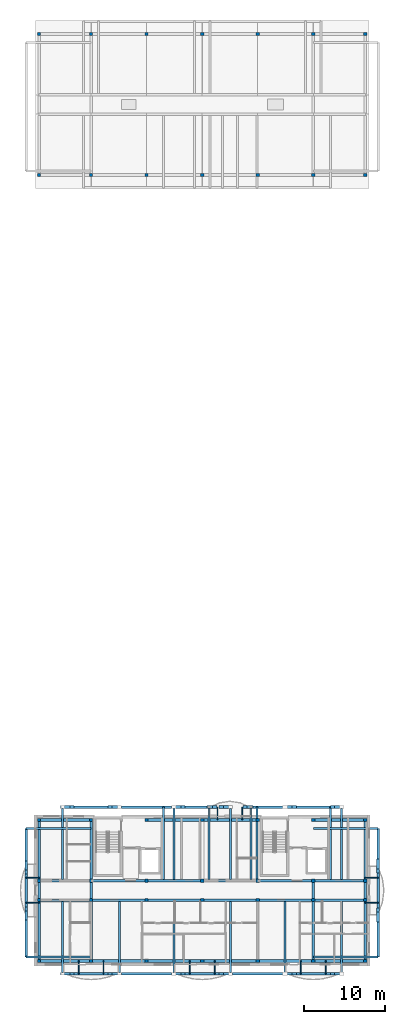
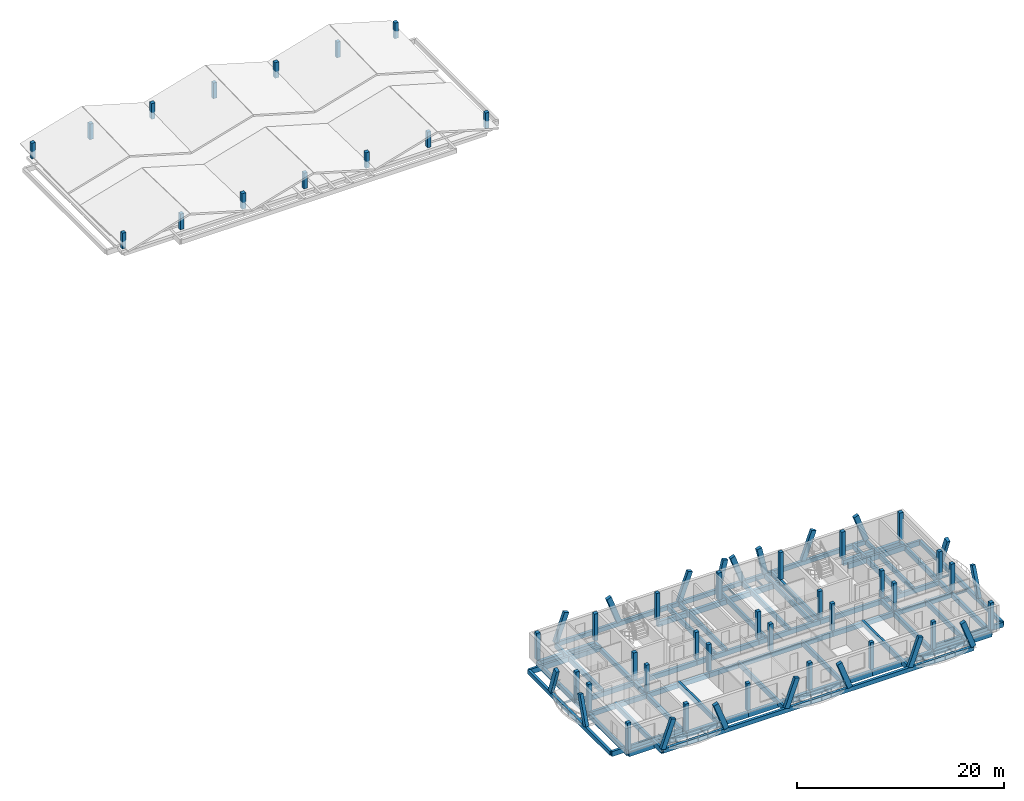
# One storey, part 1 of 10: 68 beams, 42 columns, 18 members.
"""IFC4 building model written with IfcOpenShell, lengths in metres."""

import ifcopenshell
import ifcopenshell.guid

model = None  # the IFC model being written
_history = None  # IfcOwnerHistory: only IFC2X3 demands one
_inside = {}  # id of a spatial element -> (the spatial element, [elements in it])
_under = {}  # id of a project, library or spatial element -> (it, [spatial elements below it])
_declared = {}  # id of a project -> (the project, [libraries it declares])
_typed = {}  # id of a type object -> (the type object, [elements of that type])
_made_of = {}  # id of a material, layer set ... -> (it, [elements and type objects made of it])


def new_model(schema):
    """Start an empty IFC model of exactly this schema.

    Asked for "IFC4X3", IfcOpenShell would pick the latest addendum, in which some entities
    have other attributes; the version numbers below select the first issue.
    IFC2X3 requires an IfcOwnerHistory on every rooted entity: one is made here for all.
    """
    global model, _history
    if schema == "IFC4X3":
        model = ifcopenshell.file(schema_version=(4, 3, 0, 0))
    else:
        model = ifcopenshell.file(schema=schema)
    _inside.clear()
    _under.clear()
    _declared.clear()
    _typed.clear()
    _made_of.clear()
    _history = None
    if model.schema == "IFC2X3":
        org = make("IfcOrganization", Name="unknown")
        user = make(
            "IfcPersonAndOrganization",
            ThePerson=make("IfcPerson", FamilyName="unknown"),
            TheOrganization=org,
        )
        app = make(
            "IfcApplication",
            ApplicationDeveloper=org,
            Version="unknown",
            ApplicationFullName="unknown",
            ApplicationIdentifier="unknown",
        )
        _history = make(
            "IfcOwnerHistory",
            OwningUser=user,
            OwningApplication=app,
            ChangeAction="ADDED",
            CreationDate=0,
        )
    return model


def make(cls, **values):
    """One entity of the class cls with the attributes given. An attribute that is None is left unset."""
    return model.create_entity(
        cls, **{name: value for name, value in values.items() if value is not None}
    )


def rooted(cls, **values):
    """An entity with a GlobalId (a new one), such as an element, a storey or a relation."""
    return make(cls, GlobalId=ifcopenshell.guid.new(), OwnerHistory=_history, **values)


def si_unit(unit_type, name, prefix=None):
    """IfcSIUnit, for example si_unit("LENGTHUNIT", "METRE", prefix="MILLI")."""
    return make("IfcSIUnit", UnitType=unit_type, Prefix=prefix, Name=name)


def assignment(units):
    """IfcUnitAssignment: the units of a project."""
    return None if units is None else make("IfcUnitAssignment", Units=units)


def point(xyz):
    """IfcCartesianPoint."""
    return None if xyz is None else make("IfcCartesianPoint", Coordinates=xyz)


def direction(xyz):
    """IfcDirection."""
    return None if xyz is None else make("IfcDirection", DirectionRatios=xyz)


def frame(location, z_axis=None, x_axis=None):
    """IfcAxis2Placement3D, a coordinate frame: its origin and axes. An axis left out is left unset."""
    return make(
        "IfcAxis2Placement3D",
        Location=point(location),
        Axis=direction(z_axis),
        RefDirection=direction(x_axis),
    )


def frame_2d(location, x_axis=None):
    """IfcAxis2Placement2D, a coordinate frame in the plane: its origin and x axis."""
    return make(
        "IfcAxis2Placement2D", Location=point(location), RefDirection=direction(x_axis)
    )


def origin():
    """The frame at (0, 0, 0) with its axes left unset."""
    return frame((0.0, 0.0, 0.0))


def origin_2d():
    """The frame at (0, 0) in the plane with its x axis left unset."""
    return frame_2d((0.0, 0.0))


def place(relative_to, where):
    """IfcLocalPlacement: puts the frame where relative to a parent placement (None: the world)."""
    return make(
        "IfcLocalPlacement", PlacementRelTo=relative_to, RelativePlacement=where
    )


def context(
    kind, dimensions, precision=None, world=None, true_north=None, identifier=None
):
    """IfcGeometricRepresentationContext, for example the 3D "Model" context."""
    return make(
        "IfcGeometricRepresentationContext",
        ContextIdentifier=identifier,
        ContextType=kind,
        CoordinateSpaceDimension=dimensions,
        Precision=precision,
        WorldCoordinateSystem=world,
        TrueNorth=true_north,
    )


def subcontext(parent, identifier, kind, view, scale=None):
    """IfcGeometricRepresentationSubContext, for example "Body" below "Model"."""
    return make(
        "IfcGeometricRepresentationSubContext",
        ContextIdentifier=identifier,
        ContextType=kind,
        ParentContext=parent,
        TargetScale=scale,
        TargetView=view,
    )


def project(units=None, contexts=None):
    """IfcProject with its units and contexts."""
    return rooted(
        "IfcProject",
        Name="project",
        RepresentationContexts=contexts,
        UnitsInContext=assignment(units),
    )


def spatial(cls, under=None, at=None, **own):
    """A site, building, storey or space (cls), placed at a placement, below another one or the project."""
    s = rooted(cls, ObjectPlacement=at, **own)
    if under is not None:
        _under.setdefault(under.id(), (under, []))[1].append(s)
    return s


def profile(cls, at=None, kind="AREA", **sizes):
    """A parametric profile (cls). Its sizes go by their IFC names, for example OverallWidth=200.0."""
    return make(cls, ProfileType=kind, Position=at, **sizes)


def rectangle(**sizes):
    """IfcRectangleProfileDef."""
    return profile("IfcRectangleProfileDef", **sizes)


def i_section(**sizes):
    """IfcIShapeProfileDef."""
    return profile("IfcIShapeProfileDef", **sizes)


def extrude(swept, where, along, depth):
    """IfcExtrudedAreaSolid: the profile swept, set in the frame where, extruded along a direction by depth."""
    return make(
        "IfcExtrudedAreaSolid",
        SweptArea=swept,
        Position=where,
        ExtrudedDirection=direction(along),
        Depth=depth,
    )


def shape(context_of_items, identifier, shape_type, items):
    """IfcShapeRepresentation: the items that make up one representation, for example the "Body"."""
    return make(
        "IfcShapeRepresentation",
        ContextOfItems=context_of_items,
        RepresentationIdentifier=identifier,
        RepresentationType=shape_type,
        Items=items,
    )


def material(Name=None, Category=None):
    """IfcMaterial."""
    return make("IfcMaterial", Name=Name, Category=Category)


def material_profile(
    of_material, cross_section, Name=None, Category=None, Priority=None
):
    """IfcMaterialProfile: a cross section and its material."""
    return make(
        "IfcMaterialProfile",
        Name=Name,
        Material=of_material,
        Profile=cross_section,
        Priority=Priority,
        Category=Category,
    )


def profile_set(profiles, Name=None, composite=None):
    """IfcMaterialProfileSet."""
    return make(
        "IfcMaterialProfileSet",
        Name=Name,
        MaterialProfiles=profiles,
        CompositeProfile=composite,
    )


def made_of(thing, what):
    """Note that an element or type object is made of a material, layer set ...; save() writes the relation."""
    if what is not None:
        _made_of.setdefault(what.id(), (what, []))[1].append(thing)
    return thing


def type_object(cls, material=None, **own):
    """A type object (cls), such as IfcWallType, which elements share."""
    return made_of(rooted(cls, **own), material)


def element(
    cls,
    number,
    at=None,
    inside=None,
    cuts=None,
    type_object=None,
    material=None,
    context=None,
    identifier="Body",
    shape_type=None,
    held_by="IfcProductDefinitionShape",
    body=None,
    shapes=None,
    **own,
):
    """One element of the class cls, such as IfcWall. Its Tag is "e" and its number.

    at: its placement. inside: the storey or other place that contains it. cuts: it is an
    opening in that element (IfcRelVoidsElement). A single representation is given by context,
    identifier, shape_type and body (its items); several are given by shapes. held_by: the class
    of the entity that holds the representations. save() writes the other relations.
    """
    e = rooted(cls, Tag="e%d" % number, ObjectPlacement=at, **own)
    if body is not None:
        shapes = [shape(context, identifier, shape_type, body)]
    if shapes is not None:
        e.Representation = make(held_by, Representations=shapes)
    if inside is not None:
        _inside.setdefault(inside.id(), (inside, []))[1].append(e)
    if cuts is not None:
        rooted(
            "IfcRelVoidsElement", RelatingBuildingElement=cuts, RelatedOpeningElement=e
        )
    if type_object is not None:
        _typed.setdefault(type_object.id(), (type_object, []))[1].append(e)
    return made_of(e, material)


def aggregate(whole, parts):
    """IfcRelAggregates: a whole, such as a stair, and the parts it consists of."""
    return rooted("IfcRelAggregates", RelatingObject=whole, RelatedObjects=parts)


def save(model, path):
    """Write the relations noted so far, then the file.

    IfcRelAggregates (storeys below a building ...), IfcRelContainedInSpatialStructure (elements
    in a storey), IfcRelDefinesByType, IfcRelAssociatesMaterial and IfcRelDeclares: one each for
    every whole, place, type object, material and project.
    """
    for whole, parts in _under.values():
        aggregate(whole, parts)
    for where, things in _inside.values():
        rooted(
            "IfcRelContainedInSpatialStructure",
            RelatedElements=things,
            RelatingStructure=where,
        )
    for kind, things in _typed.values():
        rooted("IfcRelDefinesByType", RelatedObjects=things, RelatingType=kind)
    for what, things in _made_of.values():
        rooted("IfcRelAssociatesMaterial", RelatedObjects=things, RelatingMaterial=what)
    for by, libraries in _declared.values():
        rooted("IfcRelDeclares", RelatingContext=by, RelatedDefinitions=libraries)
    model.write(path)


model = new_model("IFC4")

# Units and contexts
model_context = context("Model", 3, precision=1e-05, world=origin(), true_north=direction((0.0, 1.0)))
body_context = subcontext(model_context, "Body", "Model", "MODEL_VIEW")
ifc_project = project(units=[si_unit("LENGTHUNIT", "METRE"), si_unit("AREAUNIT", "SQUARE_METRE"), si_unit("VOLUMEUNIT", "CUBIC_METRE"), si_unit("PLANEANGLEUNIT", "RADIAN"), si_unit("MASSUNIT", "GRAM", prefix="KILO")], contexts=[model_context])

# Site, building, storey
site_placement = place(None, origin())
site = spatial("IfcSite", under=ifc_project, at=site_placement, CompositionType="ELEMENT")
building_placement = place(site_placement, origin())
building = spatial("IfcBuilding", under=site, at=building_placement, Name="Zavelmont Quarter", CompositionType="ELEMENT")
storey_placement = place(building_placement, frame((0.0, 0.0, 43.199951171875)))
storey = spatial("IfcBuildingStorey", under=building, at=storey_placement, Name="L13", CompositionType="ELEMENT", Elevation=43.199951171875)

# Columns
ifc_material_1 = material(Name="Concrete C35/45", Category="concrete")
ifc_material_profile_1 = material_profile(ifc_material_1, rectangle(XDim=0.39990234375, YDim=0.39990234375, at=origin_2d()), Name="RC400X400")
ifc_profile_set_1 = profile_set([ifc_material_profile_1], Name="Concrete C35/45")
column_type = type_object("IfcColumnType", Name="CL05", PredefinedType="COLUMN", material=ifc_profile_set_1)
for number, where, z_axis, x_axis, name in (
    (1, (0.43994140625, 0.43994140625, 0.0), (0.0, 0.0, 1.0), (1.0, 0.0, 0.0), "L13 column CL05 at 1/A"),
    (2, (0.43994140625, 8.0, 0.0), (0.0, 0.0, 1.0), (1.0, 0.0, 0.0), "L13 column CL05 at 1/B"),
    (3, (0.43994140625, 10.39990234375, 0.0), (0.0, 0.0, 1.0), (1.0, 0.0, 0.0), "L13 column CL05 at 1/C"),
    (4, (0.43994140625, 17.9599609375, 0.0), (0.0, 0.0, 1.0), (1.0, 0.0, 0.0), "L13 column CL05 at 1/D"),
    (5, (6.89990234375, 0.43994140625, 0.0), (0.0, 0.0, 1.0), (1.0, 0.0, 0.0), "L13 column CL05 at 2/A"),
    (6, (6.89990234375, 8.0, 0.0), (0.0, 0.0, 1.0), (1.0, 0.0, 0.0), "L13 column CL05 at 2/B"),
    (7, (6.89990234375, 10.39990234375, 0.0), (0.0, 0.0, 1.0), (1.0, 0.0, 0.0), "L13 column CL05 at 2/C"),
    (8, (6.89990234375, 17.9599609375, 0.0), (0.0, 0.0, 1.0), (1.0, 0.0, 0.0), "L13 column CL05 at 2/D"),
    (9, (13.800048828125, 0.43994140625, 0.0), (0.0, 0.0, 1.0), (1.0, 0.0, 0.0), "L13 column CL05 at 3/A"),
    (10, (13.800048828125, 8.0, 0.0), (0.0, 0.0, 1.0), (1.0, 0.0, 0.0), "L13 column CL05 at 3/B"),
    (11, (13.800048828125, 10.39990234375, 0.0), (0.0, 0.0, 1.0), (1.0, 0.0, 0.0), "L13 column CL05 at 3/C"),
    (12, (13.800048828125, 17.9599609375, 0.0), (0.0, 0.0, 1.0), (1.0, 0.0, 0.0), "L13 column CL05 at 3/D"),
    (13, (20.699951171875, 0.43994140625, 0.0), (0.0, 0.0, 1.0), (1.0, 0.0, 0.0), "L13 column CL05 at 4/A"),
    (14, (20.699951171875, 8.0, 0.0), (0.0, 0.0, 1.0), (1.0, 0.0, 0.0), "L13 column CL05 at 4/B"),
    (15, (20.699951171875, 10.39990234375, 0.0), (0.0, 0.0, 1.0), (1.0, 0.0, 0.0), "L13 column CL05 at 4/C"),
    (16, (20.699951171875, 17.9599609375, 0.0), (0.0, 0.0, 1.0), (1.0, 0.0, 0.0), "L13 column CL05 at 4/D"),
    (17, (27.60009765625, 0.43994140625, 0.0), (0.0, 0.0, 1.0), (1.0, 0.0, 0.0), "L13 column CL05 at 5/A"),
    (18, (27.60009765625, 8.0, 0.0), (0.0, 0.0, 1.0), (1.0, 0.0, 0.0), "L13 column CL05 at 5/B"),
    (19, (27.60009765625, 10.39990234375, 0.0), (0.0, 0.0, 1.0), (1.0, 0.0, 0.0), "L13 column CL05 at 5/C"),
    (20, (27.60009765625, 17.9599609375, 0.0), (0.0, 0.0, 1.0), (1.0, 0.0, 0.0), "L13 column CL05 at 5/D"),
    (21, (34.5, 0.43994140625, 0.0), (0.0, 0.0, 1.0), (1.0, 0.0, 0.0), "L13 column CL05 at 6/A"),
    (22, (34.5, 8.0, 0.0), (0.0, 0.0, 1.0), (1.0, 0.0, 0.0), "L13 column CL05 at 6/B"),
    (23, (34.5, 10.39990234375, 0.0), (0.0, 0.0, 1.0), (1.0, 0.0, 0.0), "L13 column CL05 at 6/C"),
    (24, (34.5, 17.9599609375, 0.0), (0.0, 0.0, 1.0), (1.0, 0.0, 0.0), "L13 column CL05 at 6/D"),
    (25, (40.9599609375, 0.43994140625, 0.0), (0.0, 0.0, 1.0), (1.0, 0.0, 0.0), "L13 column CL05 at 7/A"),
    (26, (40.9599609375, 8.0, 0.0), (0.0, 0.0, 1.0), (1.0, 0.0, 0.0), "L13 column CL05 at 7/B"),
    (27, (40.9599609375, 10.39990234375, 0.0), (0.0, 0.0, 1.0), (1.0, 0.0, 0.0), "L13 column CL05 at 7/C"),
    (28, (40.9599609375, 17.9599609375, 0.0), (0.0, 0.0, 1.0), (1.0, 0.0, 0.0), "L13 column CL05 at 7/D"),
):
    element("IfcColumn", number, at=place(storey_placement, frame(where, z_axis=z_axis, x_axis=x_axis)), inside=storey, type_object=column_type, Name=name, PredefinedType="COLUMN", context=body_context, shape_type="SweptSolid", body=[
        extrude(rectangle(XDim=0.39990234375, YDim=0.39990234375, at=origin_2d()), origin(), (0.0, 0.0, 1.0), 3.199951171875),
    ])
for number, where, z_axis, x_axis, name in (
    (29, (0.43994140625, 98.0400390625, 0.0), (0.0, 0.0, 1.0), (1.0, 0.0, 0.0), "L13 column CL05 at 1/P"),
    (30, (0.43994140625, 115.56005859375, 0.0), (0.0, 0.0, 1.0), (1.0, 0.0, 0.0), "L13 column CL05 at 1/S"),
    (31, (6.89990234375, 98.0400390625, 0.0), (0.0, 0.0, 1.0), (1.0, 0.0, 0.0), "L13 column CL05 at 2/P"),
    (32, (6.89990234375, 115.56005859375, 0.0), (0.0, 0.0, 1.0), (1.0, 0.0, 0.0), "L13 column CL05 at 2/S"),
    (33, (13.800048828125, 98.0400390625, 0.0), (0.0, 0.0, 1.0), (1.0, 0.0, 0.0), "L13 column CL05 at 3/P"),
    (34, (13.800048828125, 115.56005859375, 0.0), (0.0, 0.0, 1.0), (1.0, 0.0, 0.0), "L13 column CL05 at 3/S"),
    (35, (20.699951171875, 98.0400390625, 0.0), (0.0, 0.0, 1.0), (1.0, 0.0, 0.0), "L13 column CL05 at 4/P"),
    (36, (20.699951171875, 115.56005859375, 0.0), (0.0, 0.0, 1.0), (1.0, 0.0, 0.0), "L13 column CL05 at 4/S"),
    (37, (27.60009765625, 98.0400390625, 0.0), (0.0, 0.0, 1.0), (1.0, 0.0, 0.0), "L13 column CL05 at 5/P"),
    (38, (27.60009765625, 115.56005859375, 0.0), (0.0, 0.0, 1.0), (1.0, 0.0, 0.0), "L13 column CL05 at 5/S"),
    (39, (34.5, 98.0400390625, 0.0), (0.0, 0.0, 1.0), (1.0, 0.0, 0.0), "L13 column CL05 at 6/P"),
    (40, (34.5, 115.56005859375, 0.0), (0.0, 0.0, 1.0), (1.0, 0.0, 0.0), "L13 column CL05 at 6/S"),
    (41, (40.9599609375, 98.0400390625, 0.0), (0.0, 0.0, 1.0), (1.0, 0.0, 0.0), "L13 column CL05 at 7/P"),
    (42, (40.9599609375, 115.56005859375, 0.0), (0.0, 0.0, 1.0), (1.0, 0.0, 0.0), "L13 column CL05 at 7/S"),
):
    element("IfcColumn", number, at=place(storey_placement, frame(where, z_axis=z_axis, x_axis=x_axis)), inside=storey, type_object=column_type, Name=name, PredefinedType="COLUMN", context=body_context, shape_type="SweptSolid", body=[
        extrude(rectangle(XDim=0.39990234375, YDim=0.39990234375, at=origin_2d()), origin(), (0.0, 0.0, 1.0), 1.85009765625),
    ])

# Beams
ifc_material_profile_2 = material_profile(ifc_material_1, rectangle(XDim=0.35009765625, YDim=0.60009765625, at=origin_2d()), Name="RC350X600")
ifc_profile_set_2 = profile_set([ifc_material_profile_2], Name="Concrete C35/45")
beam_type_1 = type_object("IfcBeamType", Name="BM01", PredefinedType="SPANDREL", material=ifc_profile_set_2)
beam_1_placement = place(storey_placement, frame((0.43994140625, 0.43994140625, -0.530029296875), z_axis=(1.0, 0.0, 0.0), x_axis=(0.0, 1.0, 0.0)))
element("IfcBeam", 43, at=beam_1_placement, inside=storey, type_object=beam_type_1, Name="L13 beam BM01 1/A to 2/A", PredefinedType="SPANDREL", context=body_context, shape_type="SweptSolid", body=[
    extrude(rectangle(XDim=0.35009765625, YDim=0.60009765625, at=origin_2d()), origin(), (0.0, 0.0, 1.0), 6.4599609375),
])
beam_2_placement = place(storey_placement, frame((6.89990234375, 0.43994140625, -0.530029296875), z_axis=(1.0, 0.0, 0.0), x_axis=(0.0, 1.0, 0.0)))
element("IfcBeam", 44, at=beam_2_placement, inside=storey, type_object=beam_type_1, Name="L13 beam BM01 2/A to 3/A", PredefinedType="SPANDREL", context=body_context, shape_type="SweptSolid", body=[
    extrude(rectangle(XDim=0.35009765625, YDim=0.60009765625, at=origin_2d()), origin(), (0.0, 0.0, 1.0), 6.900146484375),
])
beam_3_placement = place(storey_placement, frame((13.800048828125, 0.43994140625, -0.530029296875), z_axis=(1.0, 0.0, 0.0), x_axis=(0.0, 1.0, 0.0)))
element("IfcBeam", 45, at=beam_3_placement, inside=storey, type_object=beam_type_1, Name="L13 beam BM01 3/A to 4/A", PredefinedType="SPANDREL", context=body_context, shape_type="SweptSolid", body=[
    extrude(rectangle(XDim=0.35009765625, YDim=0.60009765625, at=origin_2d()), origin(), (0.0, 0.0, 1.0), 6.89990234375),
])
beam_4_placement = place(storey_placement, frame((20.699951171875, 0.43994140625, -0.530029296875), z_axis=(1.0, 0.0, 0.0), x_axis=(0.0, 1.0, 0.0)))
element("IfcBeam", 46, at=beam_4_placement, inside=storey, type_object=beam_type_1, Name="L13 beam BM01 4/A to 5/A", PredefinedType="SPANDREL", context=body_context, shape_type="SweptSolid", body=[
    extrude(rectangle(XDim=0.35009765625, YDim=0.60009765625, at=origin_2d()), origin(), (0.0, 0.0, 1.0), 6.900146484375),
])
beam_5_placement = place(storey_placement, frame((27.60009765625, 0.43994140625, -0.530029296875), z_axis=(1.0, 0.0, 0.0), x_axis=(0.0, 1.0, 0.0)))
element("IfcBeam", 47, at=beam_5_placement, inside=storey, type_object=beam_type_1, Name="L13 beam BM01 5/A to 6/A", PredefinedType="SPANDREL", context=body_context, shape_type="SweptSolid", body=[
    extrude(rectangle(XDim=0.35009765625, YDim=0.60009765625, at=origin_2d()), origin(), (0.0, 0.0, 1.0), 6.89990234375),
])
for number, where, z_axis, x_axis, name in (
    (48, (34.5, 0.43994140625, -0.530029296875), (1.0, 0.0, 0.0), (0.0, 1.0, 0.0), "L13 beam BM01 6/A to 7/A"),
    (49, (0.43994140625, 17.9599609375, -0.530029296875), (1.0, 0.0, 0.0), (0.0, 1.0, 0.0), "L13 beam BM01 1/D to 2/D"),
):
    element("IfcBeam", number, at=place(storey_placement, frame(where, z_axis=z_axis, x_axis=x_axis)), inside=storey, type_object=beam_type_1, Name=name, PredefinedType="SPANDREL", context=body_context, shape_type="SweptSolid", body=[
        extrude(rectangle(XDim=0.35009765625, YDim=0.60009765625, at=origin_2d()), origin(), (0.0, 0.0, 1.0), 6.4599609375),
    ])
beam_6_placement = place(storey_placement, frame((13.800048828125, 17.9599609375, -0.530029296875), z_axis=(1.0, 0.0, 0.0), x_axis=(0.0, 1.0, 0.0)))
element("IfcBeam", 50, at=beam_6_placement, inside=storey, type_object=beam_type_1, Name="L13 beam BM01 3/D to 4/D", PredefinedType="SPANDREL", context=body_context, shape_type="SweptSolid", body=[
    extrude(rectangle(XDim=0.35009765625, YDim=0.60009765625, at=origin_2d()), origin(), (0.0, 0.0, 1.0), 6.89990234375),
])
beam_7_placement = place(storey_placement, frame((20.699951171875, 17.9599609375, -0.530029296875), z_axis=(1.0, 0.0, 0.0), x_axis=(0.0, 1.0, 0.0)))
element("IfcBeam", 51, at=beam_7_placement, inside=storey, type_object=beam_type_1, Name="L13 beam BM01 4/D to 5/D", PredefinedType="SPANDREL", context=body_context, shape_type="SweptSolid", body=[
    extrude(rectangle(XDim=0.35009765625, YDim=0.60009765625, at=origin_2d()), origin(), (0.0, 0.0, 1.0), 6.900146484375),
])
beam_8_placement = place(storey_placement, frame((34.5, 17.9599609375, -0.530029296875), z_axis=(1.0, 0.0, 0.0), x_axis=(0.0, 1.0, 0.0)))
element("IfcBeam", 52, at=beam_8_placement, inside=storey, type_object=beam_type_1, Name="L13 beam BM01 6/D to 7/D", PredefinedType="SPANDREL", context=body_context, shape_type="SweptSolid", body=[
    extrude(rectangle(XDim=0.35009765625, YDim=0.60009765625, at=origin_2d()), origin(), (0.0, 0.0, 1.0), 6.4599609375),
])
ifc_material_profile_3 = material_profile(ifc_material_1, rectangle(XDim=0.300048828125, YDim=0.550048828125, at=origin_2d()), Name="RC300X550")
ifc_profile_set_3 = profile_set([ifc_material_profile_3], Name="Concrete C35/45")
beam_type_2 = type_object("IfcBeamType", Name="BM02", PredefinedType="SPANDREL", material=ifc_profile_set_3)
beam_9_placement = place(storey_placement, frame((0.43994140625, 8.0, -0.5048828125), z_axis=(1.0, 0.0, 0.0), x_axis=(0.0, 1.0, 0.0)))
element("IfcBeam", 53, at=beam_9_placement, inside=storey, type_object=beam_type_2, Name="L13 beam BM02 1/B to 2/B", PredefinedType="SPANDREL", context=body_context, shape_type="SweptSolid", body=[
    extrude(rectangle(XDim=0.300048828125, YDim=0.550048828125, at=origin_2d()), origin(), (0.0, 0.0, 1.0), 6.4599609375),
])
beam_10_placement = place(storey_placement, frame((6.89990234375, 8.0, -0.5048828125), z_axis=(1.0, 0.0, 0.0), x_axis=(0.0, 1.0, 0.0)))
element("IfcBeam", 54, at=beam_10_placement, inside=storey, type_object=beam_type_2, Name="L13 beam BM02 2/B to 3/B", PredefinedType="SPANDREL", context=body_context, shape_type="SweptSolid", body=[
    extrude(rectangle(XDim=0.300048828125, YDim=0.550048828125, at=origin_2d()), origin(), (0.0, 0.0, 1.0), 6.900146484375),
])
beam_11_placement = place(storey_placement, frame((13.800048828125, 8.0, -0.5048828125), z_axis=(1.0, 0.0, 0.0), x_axis=(0.0, 1.0, 0.0)))
element("IfcBeam", 55, at=beam_11_placement, inside=storey, type_object=beam_type_2, Name="L13 beam BM02 3/B to 4/B", PredefinedType="SPANDREL", context=body_context, shape_type="SweptSolid", body=[
    extrude(rectangle(XDim=0.300048828125, YDim=0.550048828125, at=origin_2d()), origin(), (0.0, 0.0, 1.0), 6.89990234375),
])
beam_12_placement = place(storey_placement, frame((20.699951171875, 8.0, -0.5048828125), z_axis=(1.0, 0.0, 0.0), x_axis=(0.0, 1.0, 0.0)))
element("IfcBeam", 56, at=beam_12_placement, inside=storey, type_object=beam_type_2, Name="L13 beam BM02 4/B to 5/B", PredefinedType="SPANDREL", context=body_context, shape_type="SweptSolid", body=[
    extrude(rectangle(XDim=0.300048828125, YDim=0.550048828125, at=origin_2d()), origin(), (0.0, 0.0, 1.0), 6.900146484375),
])
beam_13_placement = place(storey_placement, frame((27.60009765625, 8.0, -0.5048828125), z_axis=(1.0, 0.0, 0.0), x_axis=(0.0, 1.0, 0.0)))
element("IfcBeam", 57, at=beam_13_placement, inside=storey, type_object=beam_type_2, Name="L13 beam BM02 5/B to 6/B", PredefinedType="SPANDREL", context=body_context, shape_type="SweptSolid", body=[
    extrude(rectangle(XDim=0.300048828125, YDim=0.550048828125, at=origin_2d()), origin(), (0.0, 0.0, 1.0), 6.89990234375),
])
for number, where, z_axis, x_axis, name in (
    (58, (34.5, 8.0, -0.5048828125), (1.0, 0.0, 0.0), (0.0, 1.0, 0.0), "L13 beam BM02 6/B to 7/B"),
    (59, (0.43994140625, 10.39990234375, -0.5048828125), (1.0, 0.0, 0.0), (0.0, 1.0, 0.0), "L13 beam BM02 1/C to 2/C"),
):
    element("IfcBeam", number, at=place(storey_placement, frame(where, z_axis=z_axis, x_axis=x_axis)), inside=storey, type_object=beam_type_2, Name=name, PredefinedType="SPANDREL", context=body_context, shape_type="SweptSolid", body=[
        extrude(rectangle(XDim=0.300048828125, YDim=0.550048828125, at=origin_2d()), origin(), (0.0, 0.0, 1.0), 6.4599609375),
    ])
beam_14_placement = place(storey_placement, frame((6.89990234375, 10.39990234375, -0.5048828125), z_axis=(1.0, 0.0, 0.0), x_axis=(0.0, 1.0, 0.0)))
element("IfcBeam", 60, at=beam_14_placement, inside=storey, type_object=beam_type_2, Name="L13 beam BM02 2/C to 3/C", PredefinedType="SPANDREL", context=body_context, shape_type="SweptSolid", body=[
    extrude(rectangle(XDim=0.300048828125, YDim=0.550048828125, at=origin_2d()), origin(), (0.0, 0.0, 1.0), 6.900146484375),
])
beam_15_placement = place(storey_placement, frame((13.800048828125, 10.39990234375, -0.5048828125), z_axis=(1.0, 0.0, 0.0), x_axis=(0.0, 1.0, 0.0)))
element("IfcBeam", 61, at=beam_15_placement, inside=storey, type_object=beam_type_2, Name="L13 beam BM02 3/C to 4/C", PredefinedType="SPANDREL", context=body_context, shape_type="SweptSolid", body=[
    extrude(rectangle(XDim=0.300048828125, YDim=0.550048828125, at=origin_2d()), origin(), (0.0, 0.0, 1.0), 6.89990234375),
])
beam_16_placement = place(storey_placement, frame((20.699951171875, 10.39990234375, -0.5048828125), z_axis=(1.0, 0.0, 0.0), x_axis=(0.0, 1.0, 0.0)))
element("IfcBeam", 62, at=beam_16_placement, inside=storey, type_object=beam_type_2, Name="L13 beam BM02 4/C to 5/C", PredefinedType="SPANDREL", context=body_context, shape_type="SweptSolid", body=[
    extrude(rectangle(XDim=0.300048828125, YDim=0.550048828125, at=origin_2d()), origin(), (0.0, 0.0, 1.0), 6.900146484375),
])
beam_17_placement = place(storey_placement, frame((27.60009765625, 10.39990234375, -0.5048828125), z_axis=(1.0, 0.0, 0.0), x_axis=(0.0, 1.0, 0.0)))
element("IfcBeam", 63, at=beam_17_placement, inside=storey, type_object=beam_type_2, Name="L13 beam BM02 5/C to 6/C", PredefinedType="SPANDREL", context=body_context, shape_type="SweptSolid", body=[
    extrude(rectangle(XDim=0.300048828125, YDim=0.550048828125, at=origin_2d()), origin(), (0.0, 0.0, 1.0), 6.89990234375),
])
beam_18_placement = place(storey_placement, frame((34.5, 10.39990234375, -0.5048828125), z_axis=(1.0, 0.0, 0.0), x_axis=(0.0, 1.0, 0.0)))
element("IfcBeam", 64, at=beam_18_placement, inside=storey, type_object=beam_type_2, Name="L13 beam BM02 6/C to 7/C", PredefinedType="SPANDREL", context=body_context, shape_type="SweptSolid", body=[
    extrude(rectangle(XDim=0.300048828125, YDim=0.550048828125, at=origin_2d()), origin(), (0.0, 0.0, 1.0), 6.4599609375),
])
beam_19_placement = place(storey_placement, frame((0.43994140625, 0.43994140625, -0.5048828125), z_axis=(0.0, 1.0, 0.0), x_axis=(-1.0, 0.0, 0.0)))
element("IfcBeam", 65, at=beam_19_placement, inside=storey, type_object=beam_type_2, Name="L13 beam BM02 1/A to 1/B", PredefinedType="SPANDREL", context=body_context, shape_type="SweptSolid", body=[
    extrude(rectangle(XDim=0.300048828125, YDim=0.550048828125, at=origin_2d()), origin(), (0.0, 0.0, 1.0), 7.56005859375),
])
beam_20_placement = place(storey_placement, frame((0.43994140625, 8.0, -0.5048828125), z_axis=(0.0, 1.0, 0.0), x_axis=(-1.0, 0.0, 0.0)))
element("IfcBeam", 66, at=beam_20_placement, inside=storey, type_object=beam_type_2, Name="L13 beam BM02 1/B to 1/C", PredefinedType="SPANDREL", context=body_context, shape_type="SweptSolid", body=[
    extrude(rectangle(XDim=0.300048828125, YDim=0.550048828125, at=origin_2d()), origin(), (0.0, 0.0, 1.0), 2.39990234375),
])
for number, where, z_axis, x_axis, name in (
    (67, (0.43994140625, 10.39990234375, -0.5048828125), (0.0, 1.0, 0.0), (-1.0, 0.0, 0.0), "L13 beam BM02 1/C to 1/D"),
    (68, (6.89990234375, 0.43994140625, -0.5048828125), (0.0, 1.0, 0.0), (-1.0, 0.0, 0.0), "L13 beam BM02 2/A to 2/B"),
):
    element("IfcBeam", number, at=place(storey_placement, frame(where, z_axis=z_axis, x_axis=x_axis)), inside=storey, type_object=beam_type_2, Name=name, PredefinedType="SPANDREL", context=body_context, shape_type="SweptSolid", body=[
        extrude(rectangle(XDim=0.300048828125, YDim=0.550048828125, at=origin_2d()), origin(), (0.0, 0.0, 1.0), 7.56005859375),
    ])
beam_21_placement = place(storey_placement, frame((6.89990234375, 8.0, -0.5048828125), z_axis=(0.0, 1.0, 0.0), x_axis=(-1.0, 0.0, 0.0)))
element("IfcBeam", 69, at=beam_21_placement, inside=storey, type_object=beam_type_2, Name="L13 beam BM02 2/B to 2/C", PredefinedType="SPANDREL", context=body_context, shape_type="SweptSolid", body=[
    extrude(rectangle(XDim=0.300048828125, YDim=0.550048828125, at=origin_2d()), origin(), (0.0, 0.0, 1.0), 2.39990234375),
])
for number, where, z_axis, x_axis, name in (
    (70, (6.89990234375, 10.39990234375, -0.5048828125), (0.0, 1.0, 0.0), (-1.0, 0.0, 0.0), "L13 beam BM02 2/C to 2/D"),
    (71, (34.5, 0.43994140625, -0.5048828125), (0.0, 1.0, 0.0), (-1.0, 0.0, 0.0), "L13 beam BM02 6/A to 6/B"),
):
    element("IfcBeam", number, at=place(storey_placement, frame(where, z_axis=z_axis, x_axis=x_axis)), inside=storey, type_object=beam_type_2, Name=name, PredefinedType="SPANDREL", context=body_context, shape_type="SweptSolid", body=[
        extrude(rectangle(XDim=0.300048828125, YDim=0.550048828125, at=origin_2d()), origin(), (0.0, 0.0, 1.0), 7.56005859375),
    ])
beam_22_placement = place(storey_placement, frame((34.5, 8.0, -0.5048828125), z_axis=(0.0, 1.0, 0.0), x_axis=(-1.0, 0.0, 0.0)))
element("IfcBeam", 72, at=beam_22_placement, inside=storey, type_object=beam_type_2, Name="L13 beam BM02 6/B to 6/C", PredefinedType="SPANDREL", context=body_context, shape_type="SweptSolid", body=[
    extrude(rectangle(XDim=0.300048828125, YDim=0.550048828125, at=origin_2d()), origin(), (0.0, 0.0, 1.0), 2.39990234375),
])
beam_23_placement = place(storey_placement, frame((40.9599609375, 0.43994140625, -0.5048828125), z_axis=(0.0, 1.0, 0.0), x_axis=(-1.0, 0.0, 0.0)))
element("IfcBeam", 73, at=beam_23_placement, inside=storey, type_object=beam_type_2, Name="L13 beam BM02 7/A to 7/B", PredefinedType="SPANDREL", context=body_context, shape_type="SweptSolid", body=[
    extrude(rectangle(XDim=0.300048828125, YDim=0.550048828125, at=origin_2d()), origin(), (0.0, 0.0, 1.0), 7.56005859375),
])
beam_24_placement = place(storey_placement, frame((40.9599609375, 8.0, -0.5048828125), z_axis=(0.0, 1.0, 0.0), x_axis=(-1.0, 0.0, 0.0)))
element("IfcBeam", 74, at=beam_24_placement, inside=storey, type_object=beam_type_2, Name="L13 beam BM02 7/B to 7/C", PredefinedType="SPANDREL", context=body_context, shape_type="SweptSolid", body=[
    extrude(rectangle(XDim=0.300048828125, YDim=0.550048828125, at=origin_2d()), origin(), (0.0, 0.0, 1.0), 2.39990234375),
])
beam_25_placement = place(storey_placement, frame((40.9599609375, 10.39990234375, -0.5048828125), z_axis=(0.0, 1.0, 0.0), x_axis=(-1.0, 0.0, 0.0)))
element("IfcBeam", 75, at=beam_25_placement, inside=storey, type_object=beam_type_2, Name="L13 beam BM02 7/C to 7/D", PredefinedType="SPANDREL", context=body_context, shape_type="SweptSolid", body=[
    extrude(rectangle(XDim=0.300048828125, YDim=0.550048828125, at=origin_2d()), origin(), (0.0, 0.0, 1.0), 7.56005859375),
])
ifc_material_profile_4 = material_profile(ifc_material_1, rectangle(XDim=0.300048828125, YDim=0.5, at=origin_2d()), Name="RC300X500")
ifc_profile_set_4 = profile_set([ifc_material_profile_4], Name="Concrete C35/45")
beam_type_3 = type_object("IfcBeamType", Name="BM03", PredefinedType="BEAM", material=ifc_profile_set_4)
for number, where, z_axis, x_axis, name in (
    (76, (3.37109375, -1.14990234375, -0.25), (1.0, 0.0, 0.0), (0.0, 1.0, 0.0), "L13 beam BM03 1/A to 7/A"),
    (77, (3.37109375, 19.550048828125, -0.25), (1.0, 0.0, 0.0), (0.0, 1.0, 0.0), "L13 beam BM03 1/D to 7/D"),
):
    element("IfcBeam", number, at=place(storey_placement, frame(where, z_axis=z_axis, x_axis=x_axis)), inside=storey, type_object=beam_type_3, Name=name, PredefinedType="BEAM", context=body_context, shape_type="SweptSolid", body=[
        extrude(rectangle(XDim=0.300048828125, YDim=0.5, at=origin_2d()), origin(), (0.0, 0.0, 1.0), 34.657958984375),
    ])
for number, where, z_axis, x_axis, name in (
    (78, (-1.14990234375, 0.949951171875, -0.25), (0.0, 1.0, 0.0), (-1.0, 0.0, 0.0), "L13 beam BM03 1/A to 1/D"),
    (79, (42.550048828125, 0.949951171875, -0.25), (0.0, 1.0, 0.0), (-1.0, 0.0, 0.0), "L13 beam BM03 7/A to 7/D"),
):
    element("IfcBeam", number, at=place(storey_placement, frame(where, z_axis=z_axis, x_axis=x_axis)), inside=storey, type_object=beam_type_3, Name=name, PredefinedType="BEAM", context=body_context, shape_type="SweptSolid", body=[
        extrude(rectangle(XDim=0.300048828125, YDim=0.5, at=origin_2d()), origin(), (0.0, 0.0, 1.0), 15.949951171875),
    ])
ifc_material_2 = material(Name="Steel S355", Category="steel")
ifc_material_profile_5 = material_profile(ifc_material_2, i_section(OverallWidth=0.110107421875, OverallDepth=0.219970703125, WebThickness=0.005859375, FlangeThickness=0.00927734375, at=origin_2d()), Name="IPE 220")
ifc_profile_set_5 = profile_set([ifc_material_profile_5], Name="Steel S355")
beam_type_4 = type_object("IfcBeamType", Name="BM15", PredefinedType="JOIST", material=ifc_profile_set_5)
for number, where, z_axis, x_axis, name in (
    (80, (5.35009765625, 0.43994140625, -0.346923828125), (0.0, -1.0, 0.0), (1.0, 0.0, 0.0), "L13 beam BM15 2/A to 2/A"),
    (81, (8.449951171875, 0.43994140625, -0.346923828125), (0.0, -1.0, 0.0), (1.0, 0.0, 0.0), "L13 beam BM15 2/A to 2/A"),
    (82, (19.14990234375, 0.43994140625, -0.366943359375), (0.0, -1.0, 0.0), (1.0, 0.0, 0.0), "L13 beam BM15 4/A to 4/A"),
    (83, (22.25, 0.43994140625, -0.366943359375), (0.0, -1.0, 0.0), (1.0, 0.0, 0.0), "L13 beam BM15 4/A to 4/A"),
    (84, (32.949951171875, 0.43994140625, -0.35693359375), (0.0, -1.0, 0.0), (1.0, 0.0, 0.0), "L13 beam BM15 6/A to 6/A"),
    (85, (36.050048828125, 0.43994140625, -0.35693359375), (0.0, -1.0, 0.0), (1.0, 0.0, 0.0), "L13 beam BM15 6/A to 6/A"),
    (86, (0.43994140625, 7.64990234375, -0.366943359375), (-1.0, 0.0, 0.0), (0.0, -1.0, 0.0), "L13 beam BM15 1/B to 1/B"),
    (87, (0.43994140625, 10.75, -0.366943359375), (-1.0, 0.0, 0.0), (0.0, -1.0, 0.0), "L13 beam BM15 1/C to 1/C"),
):
    element("IfcBeam", number, at=place(storey_placement, frame(where, z_axis=z_axis, x_axis=x_axis)), inside=storey, type_object=beam_type_4, Name=name, PredefinedType="JOIST", context=body_context, shape_type="SweptSolid", body=[
        extrude(i_section(OverallWidth=0.110107421875, OverallDepth=0.219970703125, WebThickness=0.005859375, FlangeThickness=0.00927734375, at=origin_2d()), origin(), (0.0, 0.0, 1.0), 1.58984375),
    ])
for number, where, z_axis, x_axis, name in (
    (88, (40.9599609375, 7.64990234375, -0.35693359375), (1.0, 0.0, 0.0), (0.0, 1.0, 0.0), "L13 beam BM15 7/B to 7/B"),
    (89, (40.9599609375, 10.75, -0.35693359375), (1.0, 0.0, 0.0), (0.0, 1.0, 0.0), "L13 beam BM15 7/C to 7/C"),
    (90, (22.60009765625, 17.9599609375, -0.346923828125), (0.0, 1.0, 0.0), (-1.0, 0.0, 0.0), "L13 beam BM15 4/D to 4/D"),
    (91, (25.699951171875, 17.9599609375, -0.346923828125), (0.0, 1.0, 0.0), (-1.0, 0.0, 0.0), "L13 beam BM15 5/D to 5/D"),
):
    element("IfcBeam", number, at=place(storey_placement, frame(where, z_axis=z_axis, x_axis=x_axis)), inside=storey, type_object=beam_type_4, Name=name, PredefinedType="JOIST", context=body_context, shape_type="SweptSolid", body=[
        extrude(i_section(OverallWidth=0.110107421875, OverallDepth=0.219970703125, WebThickness=0.005859375, FlangeThickness=0.00927734375, at=origin_2d()), origin(), (0.0, 0.0, 1.0), 1.590087890625),
    ])
ifc_material_3 = material(Name="Concrete C40/50", Category="concrete")
ifc_material_profile_6 = material_profile(ifc_material_3, rectangle(XDim=0.25, YDim=0.60009765625, at=origin_2d()), Name="RC250X600")
ifc_profile_set_6 = profile_set([ifc_material_profile_6], Name="Concrete C40/50")
beam_type_5 = type_object("IfcBeamType", Name="BM18", PredefinedType="BEAM", material=ifc_profile_set_6)
for number, where, z_axis, x_axis, name in (
    (92, (3.37109375, 8.0, -0.300048828125), (0.0, -1.0, 0.0), (1.0, 0.0, 0.0), "L13 beam BM18 1/B to 1/A"),
    (93, (10.428955078125, 8.0, -0.300048828125), (0.0, -1.0, 0.0), (1.0, 0.0, 0.0), "L13 beam BM18 3/B to 3/A"),
    (94, (17.171142578125, 8.0, -0.300048828125), (0.0, -1.0, 0.0), (1.0, 0.0, 0.0), "L13 beam BM18 3/B to 3/A"),
    (95, (24.22900390625, 8.0, -0.300048828125), (0.0, -1.0, 0.0), (1.0, 0.0, 0.0), "L13 beam BM18 5/B to 5/A"),
    (96, (30.97119140625, 8.0, -0.300048828125), (0.0, -1.0, 0.0), (1.0, 0.0, 0.0), "L13 beam BM18 5/B to 5/A"),
    (97, (38.02880859375, 8.0, -0.300048828125), (0.0, -1.0, 0.0), (1.0, 0.0, 0.0), "L13 beam BM18 7/B to 7/A"),
):
    element("IfcBeam", number, at=place(storey_placement, frame(where, z_axis=z_axis, x_axis=x_axis)), inside=storey, type_object=beam_type_5, Name=name, PredefinedType="BEAM", context=body_context, shape_type="SweptSolid", body=[
        extrude(rectangle(XDim=0.25, YDim=0.60009765625, at=origin_2d()), origin(), (0.0, 0.0, 1.0), 9.14990234375),
    ])
for number, where, z_axis, x_axis, name in (
    (98, (3.37109375, 10.39990234375, -0.300048828125), (0.0, 1.0, 0.0), (-1.0, 0.0, 0.0), "L13 beam BM18 1/C to 1/D"),
    (99, (15.925048828125, 10.39990234375, -0.300048828125), (0.0, 1.0, 0.0), (-1.0, 0.0, 0.0), "L13 beam BM18 3/C to 3/D"),
    (100, (17.171142578125, 10.39990234375, -0.300048828125), (0.0, 1.0, 0.0), (-1.0, 0.0, 0.0), "L13 beam BM18 3/C to 3/D"),
    (101, (24.22900390625, 10.39990234375, -0.300048828125), (0.0, 1.0, 0.0), (-1.0, 0.0, 0.0), "L13 beam BM18 5/C to 5/D"),
    (102, (27.5, 10.39990234375, -0.300048828125), (0.0, 1.0, 0.0), (-1.0, 0.0, 0.0), "L13 beam BM18 5/C to 5/D"),
    (103, (36.625, 10.39990234375, -0.300048828125), (0.0, 1.0, 0.0), (-1.0, 0.0, 0.0), "L13 beam BM18 6/C to 6/D"),
    (104, (38.02880859375, 10.39990234375, -0.300048828125), (0.0, 1.0, 0.0), (-1.0, 0.0, 0.0), "L13 beam BM18 7/C to 7/D"),
    (105, (21.552001953125, 10.39990234375, -0.300048828125), (0.0, 1.0, 0.0), (-1.0, 0.0, 0.0), "L13 beam BM18 4/C to 4/D"),
    (106, (26.748046875, 10.39990234375, -0.300048828125), (0.0, 1.0, 0.0), (-1.0, 0.0, 0.0), "L13 beam BM18 5/C to 5/D"),
):
    element("IfcBeam", number, at=place(storey_placement, frame(where, z_axis=z_axis, x_axis=x_axis)), inside=storey, type_object=beam_type_5, Name=name, PredefinedType="BEAM", context=body_context, shape_type="SweptSolid", body=[
        extrude(rectangle(XDim=0.25, YDim=0.60009765625, at=origin_2d()), origin(), (0.0, 0.0, 1.0), 9.150146484375),
    ])
for number, where, z_axis, x_axis, name in (
    (107, (6.89990234375, 0.949951171875, -0.300048828125), (-1.0, 0.0, 0.0), (0.0, -1.0, 0.0), "L13 beam BM18 2/A to 1/A"),
    (108, (6.89990234375, 16.89990234375, -0.300048828125), (-1.0, 0.0, 0.0), (0.0, -1.0, 0.0), "L13 beam BM18 2/D to 1/D"),
):
    element("IfcBeam", number, at=place(storey_placement, frame(where, z_axis=z_axis, x_axis=x_axis)), inside=storey, type_object=beam_type_5, Name=name, PredefinedType="BEAM", context=body_context, shape_type="SweptSolid", body=[
        extrude(rectangle(XDim=0.25, YDim=0.60009765625, at=origin_2d()), origin(), (0.0, 0.0, 1.0), 8.0498046875),
    ])
for number, where, z_axis, x_axis, name in (
    (109, (34.5, 0.949951171875, -0.300048828125), (1.0, 0.0, 0.0), (0.0, 1.0, 0.0), "L13 beam BM18 6/A to 7/A"),
    (110, (34.5, 16.89990234375, -0.300048828125), (1.0, 0.0, 0.0), (0.0, 1.0, 0.0), "L13 beam BM18 6/D to 7/D"),
):
    element("IfcBeam", number, at=place(storey_placement, frame(where, z_axis=z_axis, x_axis=x_axis)), inside=storey, type_object=beam_type_5, Name=name, PredefinedType="BEAM", context=body_context, shape_type="SweptSolid", body=[
        extrude(rectangle(XDim=0.25, YDim=0.60009765625, at=origin_2d()), origin(), (0.0, 0.0, 1.0), 8.050048828125),
    ])

# Members
ifc_material_4 = material(Name="White architectural precast concrete C40/50", Category="concrete")
ifc_material_profile_7 = material_profile(ifc_material_4, rectangle(XDim=0.360107421875, YDim=0.5400390625, at=origin_2d()), Name="PCR280X420")
ifc_profile_set_7 = profile_set([ifc_material_profile_7], Name="White architectural precast concrete C40/50")
member_type = type_object("IfcMemberType", Name="VR02M", PredefinedType="CHORD", material=ifc_profile_set_7)
for number, where, z_axis, x_axis, name in (
    (111, (3.37109375, -1.14990234375, 0.0), (0.342364601792, 0.0, 0.939567176651), (0.0, 1.0, 0.0), "L13 member VR02M 1/A to 2/A"),
    (112, (10.428955078125, -1.14990234375, 0.0), (-0.342364601792, 0.0, 0.939567176651), (0.0, -1.0, 0.0), "L13 member VR02M 3/A to 2/A"),
    (113, (17.171142578125, -1.14990234375, 0.0), (0.34230131746, 0.0, 0.939590234126), (0.0, 1.0, 0.0), "L13 member VR02M 3/A to 4/A"),
    (114, (24.22900390625, -1.14990234375, 0.0), (-0.342364601792, 0.0, 0.939567176651), (0.0, -1.0, 0.0), "L13 member VR02M 5/A to 4/A"),
    (115, (30.97119140625, -1.14990234375, 0.0), (0.34230131746, 0.0, 0.939590234126), (0.0, 1.0, 0.0), "L13 member VR02M 5/A to 6/A"),
    (116, (38.02880859375, -1.14990234375, 0.0), (-0.34230131746, 0.0, 0.939590234126), (0.0, -1.0, 0.0), "L13 member VR02M 7/A to 6/A"),
    (117, (3.37109375, 19.550048828125, 0.0), (0.342364601792, 0.0, 0.939567176651), (0.0, 1.0, 0.0), "L13 member VR02M 1/D to 2/D"),
    (118, (10.428955078125, 19.550048828125, 0.0), (-0.342364601792, 0.0, 0.939567176651), (0.0, -1.0, 0.0), "L13 member VR02M 3/D to 2/D"),
    (119, (17.171142578125, 19.550048828125, 0.0), (0.34230131746, 0.0, 0.939590234126), (0.0, 1.0, 0.0), "L13 member VR02M 3/D to 4/D"),
    (120, (24.22900390625, 19.550048828125, 0.0), (-0.342364601792, 0.0, 0.939567176651), (0.0, -1.0, 0.0), "L13 member VR02M 5/D to 4/D"),
    (121, (30.97119140625, 19.550048828125, 0.0), (0.34230131746, 0.0, 0.939590234126), (0.0, 1.0, 0.0), "L13 member VR02M 5/D to 6/D"),
    (122, (38.02880859375, 19.550048828125, 0.0), (-0.34230131746, 0.0, 0.939590234126), (0.0, -1.0, 0.0), "L13 member VR02M 7/D to 6/D"),
):
    element("IfcMember", number, at=place(storey_placement, frame(where, z_axis=z_axis, x_axis=x_axis)), inside=storey, type_object=member_type, Name=name, PredefinedType="CHORD", context=body_context, shape_type="SweptSolid", body=[
        extrude(rectangle(XDim=0.360107421875, YDim=0.5400390625, at=origin_2d()), origin(), (0.0, 0.0, 1.0), 3.40576171875),
    ])
for number, where, z_axis, x_axis, name in (
    (123, (21.552001953125, 19.550048828125, 0.0), (0.218231058457, 0.0, 0.975897128351), (0.0, 1.0, 0.0), "L13 member VR02M 4/D to 4/D"),
    (124, (26.748046875, 19.550048828125, 0.0), (-0.218231058457, 0.0, 0.975897128351), (0.0, -1.0, 0.0), "L13 member VR02M 5/D to 5/D"),
):
    element("IfcMember", number, at=place(storey_placement, frame(where, z_axis=z_axis, x_axis=x_axis)), inside=storey, type_object=member_type, Name=name, PredefinedType="CHORD", context=body_context, shape_type="SweptSolid", body=[
        extrude(rectangle(XDim=0.360107421875, YDim=0.5400390625, at=origin_2d()), origin(), (0.0, 0.0, 1.0), 3.279052734375),
    ])
for number, where, z_axis, x_axis, name in (
    (125, (-1.14990234375, 5.80810546875, 0.0), (0.0, 0.32511001483, 0.945676201592), (-1.0, 0.0, 0.0), "L13 member VR02M 1/B to 1/B"),
    (126, (-1.14990234375, 12.592041015625, 0.0), (0.0, -0.325174536975, 0.945654017336), (1.0, 0.0, 0.0), "L13 member VR02M 1/C to 1/C"),
):
    element("IfcMember", number, at=place(storey_placement, frame(where, z_axis=z_axis, x_axis=x_axis)), inside=storey, type_object=member_type, Name=name, PredefinedType="CHORD", context=body_context, shape_type="SweptSolid", body=[
        extrude(rectangle(XDim=0.360107421875, YDim=0.5400390625, at=origin_2d()), origin(), (0.0, 0.0, 1.0), 3.3837890625),
    ])
for number, where, z_axis, x_axis, name in (
    (127, (42.550048828125, 5.5380859375, 0.0), (0.0, 0.358721361915, 0.933444687438), (-1.0, 0.0, 0.0), "L13 member VR02M 7/B to 7/B"),
    (128, (42.550048828125, 12.86181640625, 0.0), (0.0, -0.358721361915, 0.933444687438), (1.0, 0.0, 0.0), "L13 member VR02M 7/C to 7/C"),
):
    element("IfcMember", number, at=place(storey_placement, frame(where, z_axis=z_axis, x_axis=x_axis)), inside=storey, type_object=member_type, Name=name, PredefinedType="CHORD", context=body_context, shape_type="SweptSolid", body=[
        extrude(rectangle(XDim=0.360107421875, YDim=0.5400390625, at=origin_2d()), origin(), (0.0, 0.0, 1.0), 3.42822265625),
    ])

save(model, "model.ifc")
